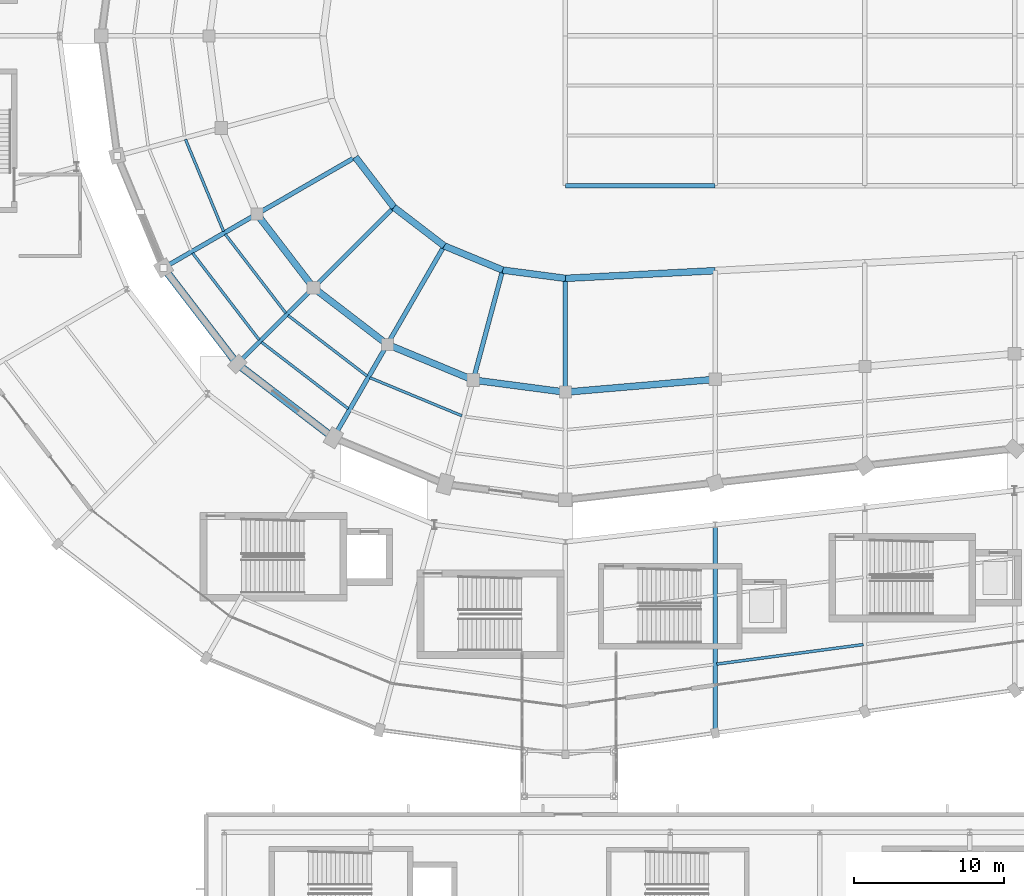
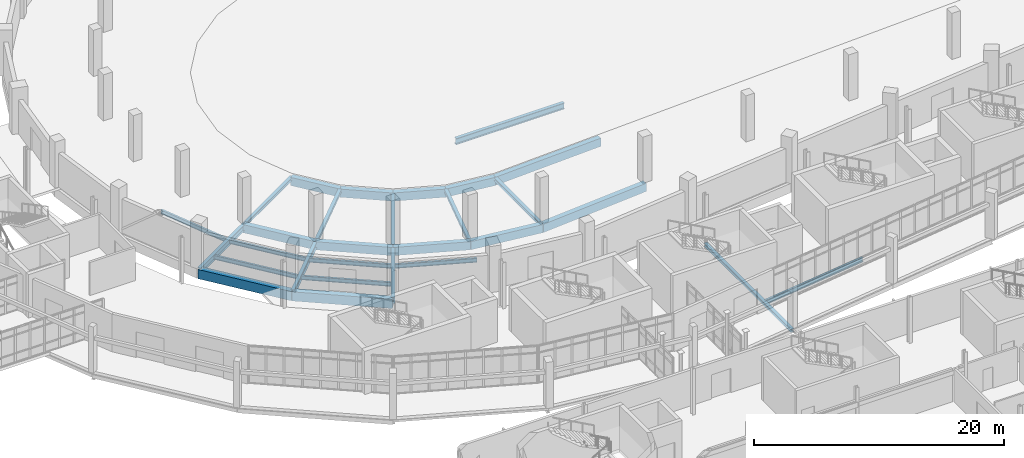
# One storey, part 43 of 122: 29 beams.
"""IFC4 building model written with IfcOpenShell, lengths in metres."""

from ifc_helpers import new_model, si_unit, direction, frame, origin, origin_2d, place, context, subcontext, project, spatial, rectangle, i_section, extrude, material, material_profile, profile_set, type_object, element, save


model = new_model("IFC4")

# Units and contexts
model_context = context("Model", 3, precision=1e-05, world=origin(), true_north=direction((0.0, 1.0)))
body_context = subcontext(model_context, "Body", "Model", "MODEL_VIEW")
ifc_project = project(units=[si_unit("LENGTHUNIT", "METRE"), si_unit("AREAUNIT", "SQUARE_METRE"), si_unit("VOLUMEUNIT", "CUBIC_METRE"), si_unit("PLANEANGLEUNIT", "RADIAN"), si_unit("MASSUNIT", "GRAM", prefix="KILO")], contexts=[model_context])

# Site, building, storey
site_placement = place(None, origin())
site = spatial("IfcSite", under=ifc_project, at=site_placement, CompositionType="ELEMENT")
building_placement = place(site_placement, origin())
building = spatial("IfcBuilding", under=site, at=building_placement, Name="Sohan Crest Arena", CompositionType="ELEMENT")
storey_placement = place(building_placement, origin())
storey = spatial("IfcBuildingStorey", under=building, at=storey_placement, Name="L00", CompositionType="ELEMENT", Elevation=0.0)

# Beams
ifc_material_1 = material(Name="Steel S355", Category="steel")
ifc_material_profile_1 = material_profile(ifc_material_1, i_section(OverallWidth=0.179931640625, OverallDepth=0.39990234375, WebThickness=0.008544921875, FlangeThickness=0.013427734375, at=origin_2d()), Name="IPE 400")
ifc_profile_set_1 = profile_set([ifc_material_profile_1], Name="Steel S355")
beam_type_1 = type_object("IfcBeamType", Name="STR-BM-B03", PredefinedType="JOIST", material=ifc_profile_set_1)
beam_1_placement = place(storey_placement, frame((72.618896484375, 71.0859375, -0.449951171875), z_axis=(0.382711680136, -0.923867831396, 0.0), x_axis=(0.923867831396, 0.382711680136, 0.0)))
element("IfcBeam", 1, at=beam_1_placement, inside=storey, type_object=beam_type_1, Name="Structural beam J-L00-0216", PredefinedType="JOIST", context=body_context, shape_type="SweptSolid", body=[
    extrude(i_section(OverallWidth=0.179931640625, OverallDepth=0.39990234375, WebThickness=0.008544921875, FlangeThickness=0.013427734375, at=origin_2d()), origin(), (0.0, 0.0, 1.0), 6.650390625),
])
beam_2_placement = place(storey_placement, frame((75.27294921875, 64.7529296875, -0.449951171875), z_axis=(0.608761301523, -0.793353438114, 0.0), x_axis=(0.793353438114, 0.608761301523, 0.0)))
element("IfcBeam", 2, at=beam_2_placement, inside=storey, type_object=beam_type_1, Name="Structural beam J-L00-0238", PredefinedType="JOIST", context=body_context, shape_type="SweptSolid", body=[
    extrude(i_section(OverallWidth=0.179931640625, OverallDepth=0.39990234375, WebThickness=0.008544921875, FlangeThickness=0.013427734375, at=origin_2d()), origin(), (0.0, 0.0, 1.0), 6.6513671875),
])
beam_3_placement = place(storey_placement, frame((73.091064453125, 63.492919921875, -0.449951171875), z_axis=(0.608707802556, -0.793394486436, 0.0), x_axis=(0.793394486436, 0.608707802556, 0.0)))
element("IfcBeam", 3, at=beam_3_placement, inside=storey, type_object=beam_type_1, Name="Structural beam J-L00-0239", PredefinedType="JOIST", context=body_context, shape_type="SweptSolid", body=[
    extrude(i_section(OverallWidth=0.179931640625, OverallDepth=0.39990234375, WebThickness=0.008544921875, FlangeThickness=0.013427734375, at=origin_2d()), origin(), (0.0, 0.0, 1.0), 7.308837890625),
])
beam_4_placement = place(storey_placement, frame((79.47607421875, 59.322021484375, -0.449951171875), z_axis=(0.793353438114, -0.608761301523, 0.0), x_axis=(0.608761301523, 0.793353438114, 0.0)))
element("IfcBeam", 4, at=beam_4_placement, inside=storey, type_object=beam_type_1, Name="Structural beam J-L00-0260", PredefinedType="JOIST", context=body_context, shape_type="SweptSolid", body=[
    extrude(i_section(OverallWidth=0.179931640625, OverallDepth=0.39990234375, WebThickness=0.008544921875, FlangeThickness=0.013427734375, at=origin_2d()), origin(), (0.0, 0.0, 1.0), 6.6513671875),
])
beam_5_placement = place(storey_placement, frame((77.694091796875, 57.5400390625, -0.449951171875), z_axis=(0.793394486436, -0.608707802556, 0.0), x_axis=(0.608707802556, 0.793394486436, 0.0)))
element("IfcBeam", 5, at=beam_5_placement, inside=storey, type_object=beam_type_1, Name="Structural beam J-L00-0261", PredefinedType="JOIST", context=body_context, shape_type="SweptSolid", body=[
    extrude(i_section(OverallWidth=0.179931640625, OverallDepth=0.39990234375, WebThickness=0.008544921875, FlangeThickness=0.013427734375, at=origin_2d()), origin(), (0.0, 0.0, 1.0), 7.308837890625),
])
beam_6_placement = place(storey_placement, frame((84.94189453125, 55.1640625, -0.449951171875), z_axis=(0.923867831396, -0.382711680136, 0.0), x_axis=(0.382711680136, 0.923867831396, 0.0)))
element("IfcBeam", 6, at=beam_6_placement, inside=storey, type_object=beam_type_1, Name="Structural beam J-L00-0282", PredefinedType="JOIST", context=body_context, shape_type="SweptSolid", body=[
    extrude(i_section(OverallWidth=0.179931640625, OverallDepth=0.39990234375, WebThickness=0.008544921875, FlangeThickness=0.013427734375, at=origin_2d()), origin(), (0.0, 0.0, 1.0), 6.650390625),
])
ifc_material_profile_2 = material_profile(ifc_material_1, i_section(OverallWidth=0.18994140625, OverallDepth=0.449951171875, WebThickness=0.009521484375, FlangeThickness=0.0146484375, at=origin_2d()), Name="IPE 450")
ifc_profile_set_2 = profile_set([ifc_material_profile_2], Name="Steel S355")
beam_type_2 = type_object("IfcBeamType", Name="STR-BM-B04", PredefinedType="JOIST", material=ifc_profile_set_2)
beam_7_placement = place(storey_placement, frame((108.10888671875, 36.035888671875, -0.5), z_axis=(0.991229196985, 0.132153997462, 0.0), x_axis=(-0.132153997462, 0.991229196985, 0.0)))
element("IfcBeam", 7, at=beam_7_placement, inside=storey, type_object=beam_type_2, Name="Structural beam J-L00-0972", PredefinedType="JOIST", context=body_context, shape_type="SweptSolid", body=[
    extrude(i_section(OverallWidth=0.18994140625, OverallDepth=0.449951171875, WebThickness=0.009521484375, FlangeThickness=0.0146484375, at=origin_2d()), origin(), (0.0, 0.0, 1.0), 9.868896484375),
])
ifc_material_profile_3 = material_profile(ifc_material_1, i_section(OverallWidth=0.300048828125, OverallDepth=0.590087890625, WebThickness=0.012939453125, FlangeThickness=0.02490234375, at=origin_2d()), Name="HEA 600")
ifc_profile_set_3 = profile_set([ifc_material_profile_3], Name="Steel S355")
beam_type_3 = type_object("IfcBeamType", Name="STR-BM-B11", PredefinedType="BEAM", material=ifc_profile_set_3)
beam_8_placement = place(storey_placement, frame((77.388916015625, 66.10009765625, -0.544921875), z_axis=(-0.866035395735, -0.499982693035, 0.0), x_axis=(0.499982693035, -0.866035395735, 0.0)))
element("IfcBeam", 8, at=beam_8_placement, inside=storey, type_object=beam_type_3, Name="Structural beam G-L00-0237", PredefinedType="BEAM", context=body_context, shape_type="SweptSolid", body=[
    extrude(i_section(OverallWidth=0.300048828125, OverallDepth=0.590087890625, WebThickness=0.012939453125, FlangeThickness=0.02490234375, at=origin_2d()), origin(), (0.0, 0.0, 1.0), 7.200439453125),
])
beam_9_placement = place(storey_placement, frame((81.1708984375, 61.1708984375, -0.544921875), z_axis=(-0.707106781187, -0.707106781187, 0.0), x_axis=(0.707106781187, -0.707106781187, 0.0)))
element("IfcBeam", 9, at=beam_9_placement, inside=storey, type_object=beam_type_3, Name="Structural beam G-L00-0259", PredefinedType="BEAM", context=body_context, shape_type="SweptSolid", body=[
    extrude(i_section(OverallWidth=0.300048828125, OverallDepth=0.590087890625, WebThickness=0.012939453125, FlangeThickness=0.02490234375, at=origin_2d()), origin(), (0.0, 0.0, 1.0), 7.199462890625),
])
beam_10_placement = place(storey_placement, frame((86.10009765625, 57.388916015625, -0.544921875), z_axis=(-0.499982693035, -0.866035395735, 0.0), x_axis=(0.866035395735, -0.499982693035, 0.0)))
element("IfcBeam", 10, at=beam_10_placement, inside=storey, type_object=beam_type_3, Name="Structural beam G-L00-0281", PredefinedType="BEAM", context=body_context, shape_type="SweptSolid", body=[
    extrude(i_section(OverallWidth=0.300048828125, OverallDepth=0.590087890625, WebThickness=0.012939453125, FlangeThickness=0.02490234375, at=origin_2d()), origin(), (0.0, 0.0, 1.0), 7.200439453125),
])
ifc_material_profile_4 = material_profile(ifc_material_1, i_section(OverallWidth=0.300048828125, OverallDepth=0.300048828125, WebThickness=0.010986328125, FlangeThickness=0.01904296875, at=origin_2d()), Name="HEB 300")
ifc_profile_set_4 = profile_set([ifc_material_profile_4], Name="Steel S355")
beam_type_4 = type_object("IfcBeamType", Name="STR-BM-B12", PredefinedType="BEAM", material=ifc_profile_set_4)
beam_11_placement = place(storey_placement, frame((83.969970703125, 69.89990234375, -0.39990234375), z_axis=(-0.86601224135, -0.500022797313, 0.0), x_axis=(0.500022797313, -0.86601224135, 0.0)))
element("IfcBeam", 11, at=beam_11_placement, inside=storey, type_object=beam_type_4, Name="Structural beam G-L00-0234", PredefinedType="BEAM", context=body_context, shape_type="SweptSolid", body=[
    extrude(i_section(OverallWidth=0.300048828125, OverallDepth=0.300048828125, WebThickness=0.010986328125, FlangeThickness=0.01904296875, at=origin_2d()), origin(), (0.0, 0.0, 1.0), 7.599365234375),
])
beam_12_placement = place(storey_placement, frame((86.544921875, 66.544921875, -0.39990234375), z_axis=(-0.707106781187, -0.707106781187, 0.0), x_axis=(0.707106781187, -0.707106781187, 0.0)))
element("IfcBeam", 12, at=beam_12_placement, inside=storey, type_object=beam_type_4, Name="Structural beam G-L00-0256", PredefinedType="BEAM", context=body_context, shape_type="SweptSolid", body=[
    extrude(i_section(OverallWidth=0.300048828125, OverallDepth=0.300048828125, WebThickness=0.010986328125, FlangeThickness=0.01904296875, at=origin_2d()), origin(), (0.0, 0.0, 1.0), 7.60009765625),
])
beam_13_placement = place(storey_placement, frame((89.89990234375, 63.969970703125, -0.39990234375), z_axis=(-0.500022797313, -0.86601224135, 0.0), x_axis=(0.86601224135, -0.500022797313, 0.0)))
element("IfcBeam", 13, at=beam_13_placement, inside=storey, type_object=beam_type_4, Name="Structural beam G-L00-0278", PredefinedType="BEAM", context=body_context, shape_type="SweptSolid", body=[
    extrude(i_section(OverallWidth=0.300048828125, OverallDepth=0.300048828125, WebThickness=0.010986328125, FlangeThickness=0.01904296875, at=origin_2d()), origin(), (0.0, 0.0, 1.0), 7.599365234375),
])
beam_14_placement = place(storey_placement, frame((93.806884765625, 62.35205078125, -0.39990234375), z_axis=(-0.258790143963, -0.965933569863, 0.0), x_axis=(0.965933569863, -0.258790143963, 0.0)))
element("IfcBeam", 14, at=beam_14_placement, inside=storey, type_object=beam_type_4, Name="Structural beam G-L00-0300", PredefinedType="BEAM", context=body_context, shape_type="SweptSolid", body=[
    extrude(i_section(OverallWidth=0.300048828125, OverallDepth=0.300048828125, WebThickness=0.010986328125, FlangeThickness=0.01904296875, at=origin_2d()), origin(), (0.0, 0.0, 1.0), 7.599853515625),
])
beam_15_placement = place(storey_placement, frame((98.0, 61.800048828125, -0.39990234375), z_axis=(0.0, -1.0, 0.0), x_axis=(1.0, 0.0, 0.0)))
element("IfcBeam", 15, at=beam_15_placement, inside=storey, type_object=beam_type_4, Name="Structural beam G-L00-0322", PredefinedType="BEAM", context=body_context, shape_type="SweptSolid", body=[
    extrude(i_section(OverallWidth=0.300048828125, OverallDepth=0.300048828125, WebThickness=0.010986328125, FlangeThickness=0.01904296875, at=origin_2d()), origin(), (0.0, 0.0, 1.0), 7.60009765625),
])
beam_16_placement = place(storey_placement, frame((108.0, 45.343017578125, -0.425048828125), z_axis=(0.0, -1.0, 0.0), x_axis=(1.0, 0.0, 0.0)))
element("IfcBeam", 16, at=beam_16_placement, inside=storey, type_object=beam_type_4, Name="Structural beam G-L00-0967", PredefinedType="BEAM", context=body_context, shape_type="SweptSolid", body=[
    extrude(i_section(OverallWidth=0.300048828125, OverallDepth=0.300048828125, WebThickness=0.010986328125, FlangeThickness=0.01904296875, at=origin_2d()), origin(), (0.0, 0.0, 1.0), 13.9140625),
])
ifc_material_profile_5 = material_profile(ifc_material_1, i_section(OverallWidth=0.300048828125, OverallDepth=0.60009765625, WebThickness=0.015380859375, FlangeThickness=0.030029296875, at=origin_2d()), Name="HEB 600")
ifc_profile_set_5 = profile_set([ifc_material_profile_5], Name="Steel S355")
beam_type_5 = type_object("IfcBeamType", Name="STR-BM-B15", PredefinedType="BEAM", material=ifc_profile_set_5)
beam_17_placement = place(storey_placement, frame((98.0, 68.0, -0.60009765625), z_axis=(1.0, 0.0, 0.0), x_axis=(0.0, 1.0, 0.0)))
element("IfcBeam", 17, at=beam_17_placement, inside=storey, type_object=beam_type_5, Name="Structural beam G-L00-0015", PredefinedType="BEAM", context=body_context, shape_type="SweptSolid", body=[
    extrude(i_section(OverallWidth=0.300048828125, OverallDepth=0.60009765625, WebThickness=0.015380859375, FlangeThickness=0.030029296875, at=origin_2d()), origin(), (0.0, 0.0, 1.0), 10.0),
])
ifc_material_2 = material(Name="Concrete C40/50", Category="concrete")
ifc_material_profile_6 = material_profile(ifc_material_2, rectangle(XDim=0.449951171875, YDim=0.800048828125, at=origin_2d()), Name="RC-BM 450x800")
ifc_profile_set_6 = profile_set([ifc_material_profile_6], Name="Concrete C40/50")
beam_type_6 = type_object("IfcBeamType", Name="STR-BM-TB02", PredefinedType="BEAM", material=ifc_profile_set_6)
beam_18_placement = place(storey_placement, frame((83.969970703125, 69.89990234375, -0.64990234375), z_axis=(0.60884835564, -0.793286631574, 0.0), x_axis=(0.793286631574, 0.60884835564, 0.0)))
element("IfcBeam", 18, at=beam_18_placement, inside=storey, type_object=beam_type_6, Name="Structural beam TB-L00-0233", PredefinedType="BEAM", context=body_context, shape_type="SweptSolid", body=[
    extrude(rectangle(XDim=0.449951171875, YDim=0.800048828125, at=origin_2d()), origin(), (0.0, 0.0, 1.0), 4.229248046875),
])
beam_19_placement = place(storey_placement, frame((77.388916015625, 66.10009765625, -0.64990234375), z_axis=(0.608728486864, -0.793378616602, 0.0), x_axis=(0.793378616602, 0.608728486864, 0.0)))
element("IfcBeam", 19, at=beam_19_placement, inside=storey, type_object=beam_type_6, Name="Structural beam TB-L00-0235", PredefinedType="BEAM", context=body_context, shape_type="SweptSolid", body=[
    extrude(rectangle(XDim=0.449951171875, YDim=0.800048828125, at=origin_2d()), origin(), (0.0, 0.0, 1.0), 6.212890625),
])
beam_20_placement = place(storey_placement, frame((86.544921875, 66.544921875, -0.64990234375), z_axis=(0.793286631574, -0.60884835564, 0.0), x_axis=(0.60884835564, 0.793286631574, 0.0)))
element("IfcBeam", 20, at=beam_20_placement, inside=storey, type_object=beam_type_6, Name="Structural beam TB-L00-0255", PredefinedType="BEAM", context=body_context, shape_type="SweptSolid", body=[
    extrude(rectangle(XDim=0.449951171875, YDim=0.800048828125, at=origin_2d()), origin(), (0.0, 0.0, 1.0), 4.229248046875),
])
beam_21_placement = place(storey_placement, frame((81.1708984375, 61.1708984375, -0.64990234375), z_axis=(0.793378616602, -0.608728486864, 0.0), x_axis=(0.608728486864, 0.793378616602, 0.0)))
element("IfcBeam", 21, at=beam_21_placement, inside=storey, type_object=beam_type_6, Name="Structural beam TB-L00-0257", PredefinedType="BEAM", context=body_context, shape_type="SweptSolid", body=[
    extrude(rectangle(XDim=0.449951171875, YDim=0.800048828125, at=origin_2d()), origin(), (0.0, 0.0, 1.0), 6.212890625),
])
beam_22_placement = place(storey_placement, frame((89.89990234375, 63.969970703125, -0.64990234375), z_axis=(0.923913405382, -0.382601645783, 0.0), x_axis=(0.382601645783, 0.923913405382, 0.0)))
element("IfcBeam", 22, at=beam_22_placement, inside=storey, type_object=beam_type_6, Name="Structural beam TB-L00-0277", PredefinedType="BEAM", context=body_context, shape_type="SweptSolid", body=[
    extrude(rectangle(XDim=0.449951171875, YDim=0.800048828125, at=origin_2d()), origin(), (0.0, 0.0, 1.0), 4.228759765625),
])
beam_23_placement = place(storey_placement, frame((86.10009765625, 57.388916015625, -0.64990234375), z_axis=(0.92385973493, -0.382731224457, 0.0), x_axis=(0.382731224457, 0.92385973493, 0.0)))
element("IfcBeam", 23, at=beam_23_placement, inside=storey, type_object=beam_type_6, Name="Structural beam TB-L00-0279", PredefinedType="BEAM", context=body_context, shape_type="SweptSolid", body=[
    extrude(rectangle(XDim=0.449951171875, YDim=0.800048828125, at=origin_2d()), origin(), (0.0, 0.0, 1.0), 6.213134765625),
])
beam_24_placement = place(storey_placement, frame((93.806884765625, 62.35205078125, -0.64990234375), z_axis=(0.991445844782, -0.130518722274, 0.0), x_axis=(0.130518722274, 0.991445844782, 0.0)))
element("IfcBeam", 24, at=beam_24_placement, inside=storey, type_object=beam_type_6, Name="Structural beam TB-L00-0299", PredefinedType="BEAM", context=body_context, shape_type="SweptSolid", body=[
    extrude(rectangle(XDim=0.449951171875, YDim=0.800048828125, at=origin_2d()), origin(), (0.0, 0.0, 1.0), 4.229248046875),
])
beam_25_placement = place(storey_placement, frame((91.840087890625, 55.010986328125, -0.64990234375), z_axis=(0.991443458676, -0.130536846329, 0.0), x_axis=(0.130536846329, 0.991443458676, 0.0)))
element("IfcBeam", 25, at=beam_25_placement, inside=storey, type_object=beam_type_6, Name="Structural beam TB-L00-0301", PredefinedType="BEAM", context=body_context, shape_type="SweptSolid", body=[
    extrude(rectangle(XDim=0.449951171875, YDim=0.800048828125, at=origin_2d()), origin(), (0.0, 0.0, 1.0), 6.213134765625),
])
beam_26_placement = place(storey_placement, frame((98.0, 61.800048828125, -0.64990234375), z_axis=(0.998682061673, 0.051323870601, 0.0), x_axis=(-0.051323870601, 0.998682061673, 0.0)))
element("IfcBeam", 26, at=beam_26_placement, inside=storey, type_object=beam_type_6, Name="Structural beam TB-L00-0321", PredefinedType="BEAM", context=body_context, shape_type="SweptSolid", body=[
    extrude(rectangle(XDim=0.449951171875, YDim=0.800048828125, at=origin_2d()), origin(), (0.0, 0.0, 1.0), 10.01318359375),
])
beam_27_placement = place(storey_placement, frame((98.0, 54.199951171875, -0.64990234375), z_axis=(0.996348422929, 0.085380443469, 0.0), x_axis=(-0.085380443469, 0.996348422929, 0.0)))
element("IfcBeam", 27, at=beam_27_placement, inside=storey, type_object=beam_type_6, Name="Structural beam TB-L00-0323", PredefinedType="BEAM", context=body_context, shape_type="SweptSolid", body=[
    extrude(rectangle(XDim=0.449951171875, YDim=0.800048828125, at=origin_2d()), origin(), (0.0, 0.0, 1.0), 10.03662109375),
])
ifc_material_profile_7 = material_profile(ifc_material_2, rectangle(XDim=0.5, YDim=0.89990234375, at=origin_2d()), Name="RC-BM 500x900")
ifc_profile_set_7 = profile_set([ifc_material_profile_7], Name="Concrete C40/50")
beam_type_7 = type_object("IfcBeamType", Name="STR-BM-TB03", PredefinedType="BEAM", material=ifc_profile_set_7)
for number, where, z_axis, x_axis, name in (
    (28, (71.153076171875, 62.5, -0.699951171875), (0.608825408167, -0.793304243257, 0.0), (0.793304243257, 0.608825408167, 0.0), "Structural beam TB-L00-0236"),
    (29, (76.080078125, 56.080078125, -0.699951171875), (0.793304243257, -0.608825408167, 0.0), (0.608825408167, 0.793304243257, 0.0), "Structural beam TB-L00-0258"),
):
    element("IfcBeam", number, at=place(storey_placement, frame(where, z_axis=z_axis, x_axis=x_axis)), inside=storey, type_object=beam_type_7, Name=name, PredefinedType="BEAM", context=body_context, shape_type="SweptSolid", body=[
        extrude(rectangle(XDim=0.5, YDim=0.89990234375, at=origin_2d()), origin(), (0.0, 0.0, 1.0), 8.092529296875),
    ])

save(model, "model.ifc")
